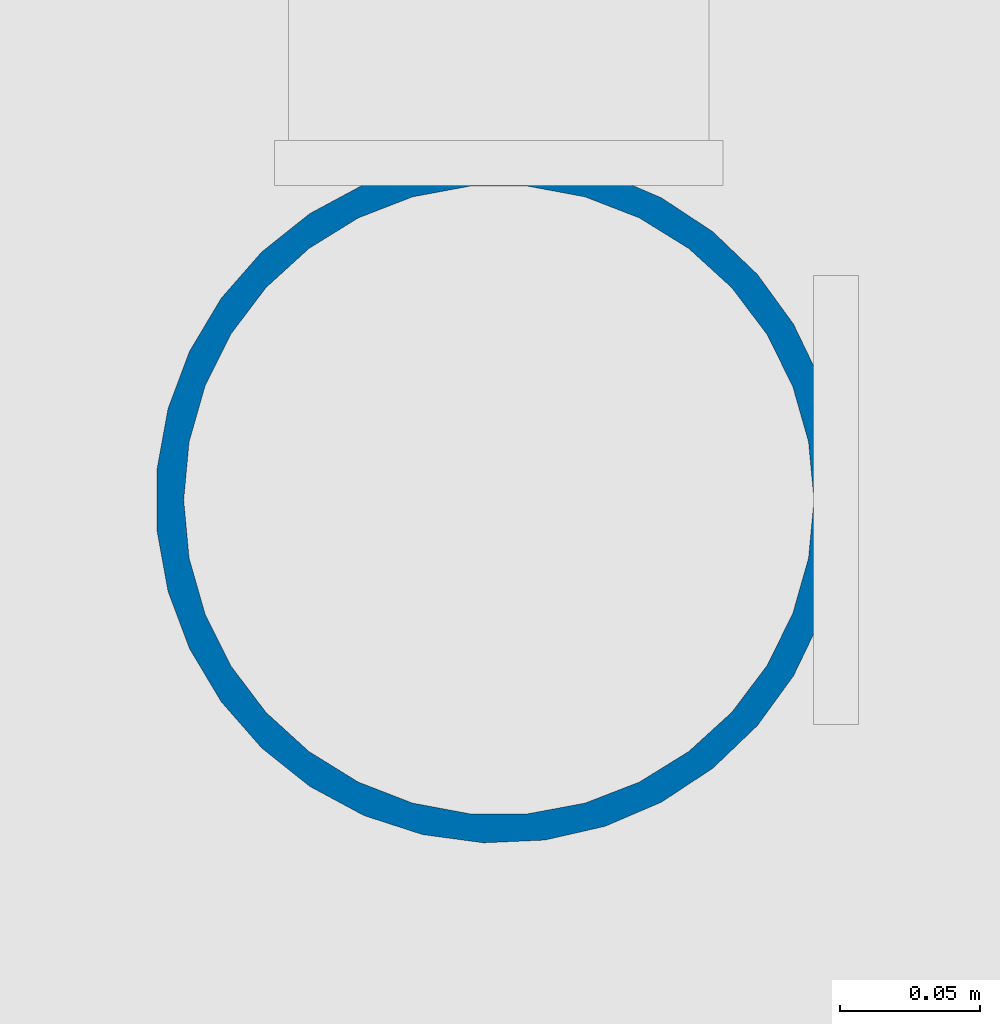
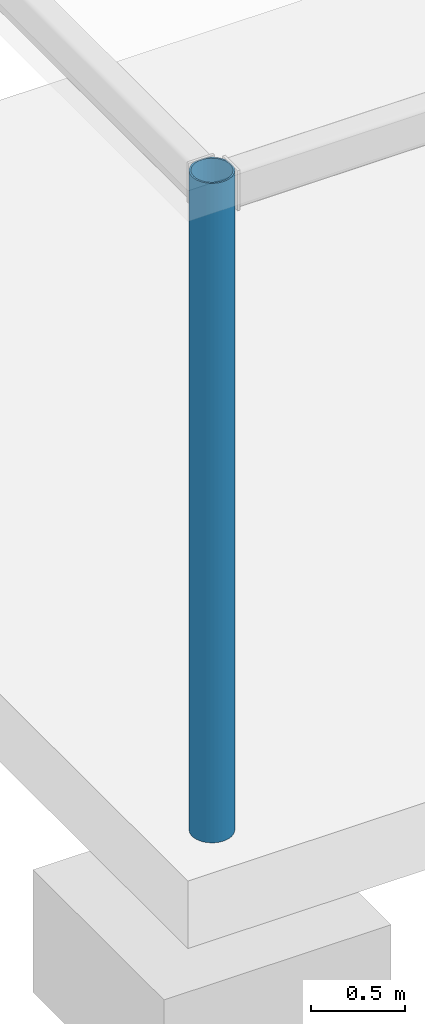
# One storey, part 15 of 76: 1 column.
"""IFC4 building model written with IfcOpenShell, lengths in metres."""

from ifc_helpers import new_model, si_unit, direction, frame, origin, origin_2d, place, context, subcontext, project, spatial, hollow_circle, extrude, material, material_profile, profile_set, type_object, element, save


model = new_model("IFC4")

# Units and contexts
model_context = context("Model", 3, precision=1e-05, world=origin(), true_north=direction((0.0, 1.0)))
body_context = subcontext(model_context, "Body", "Model", "MODEL_VIEW")
ifc_project = project(units=[si_unit("LENGTHUNIT", "METRE"), si_unit("AREAUNIT", "SQUARE_METRE"), si_unit("VOLUMEUNIT", "CUBIC_METRE"), si_unit("PLANEANGLEUNIT", "RADIAN"), si_unit("MASSUNIT", "GRAM", prefix="KILO")], contexts=[model_context])

# Site, building, storey
site_placement = place(None, origin())
site = spatial("IfcSite", under=ifc_project, at=site_placement, CompositionType="ELEMENT")
building_placement = place(site_placement, origin())
building = spatial("IfcBuilding", under=site, at=building_placement, Name="Bozkorgan Art Gallery", CompositionType="ELEMENT")
storey_placement = place(building_placement, origin())
storey = spatial("IfcBuildingStorey", under=building, at=storey_placement, Name="L00", CompositionType="ELEMENT", Elevation=0.0)

# Column
ifc_material = material(Name="Steel S355J2", Category="steel")
ifc_material_profile = material_profile(ifc_material, hollow_circle(Radius=0.122314453125, WallThickness=0.010009765625, at=origin_2d()), Name="CHS 244.5x10")
ifc_profile_set = profile_set([ifc_material_profile], Name="Steel S355J2")
column_type = type_object("IfcColumnType", Name="COLUMN-WC-87", PredefinedType="COLUMN", material=ifc_profile_set)
column_placement = place(storey_placement, frame((49.0, 95.14990234375, 0.0), z_axis=(0.0, 0.0, 1.0), x_axis=(1.0, 0.0, 0.0)))
element("IfcColumn", 1, at=column_placement, inside=storey, type_object=column_type, Name="North Sculpture-Court Covered Walk column 1", PredefinedType="COLUMN", context=body_context, shape_type="SweptSolid", body=[
    extrude(hollow_circle(Radius=0.122314453125, WallThickness=0.010009765625, at=origin_2d()), origin(), (0.0, 0.0, 1.0), 4.300048828125),
])

save(model, "model.ifc")
